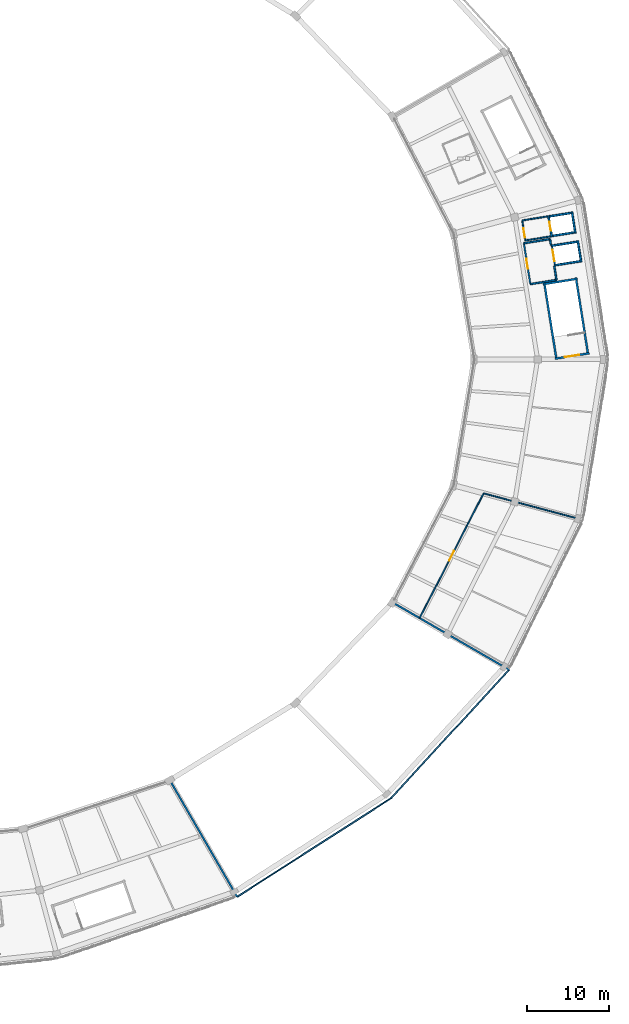
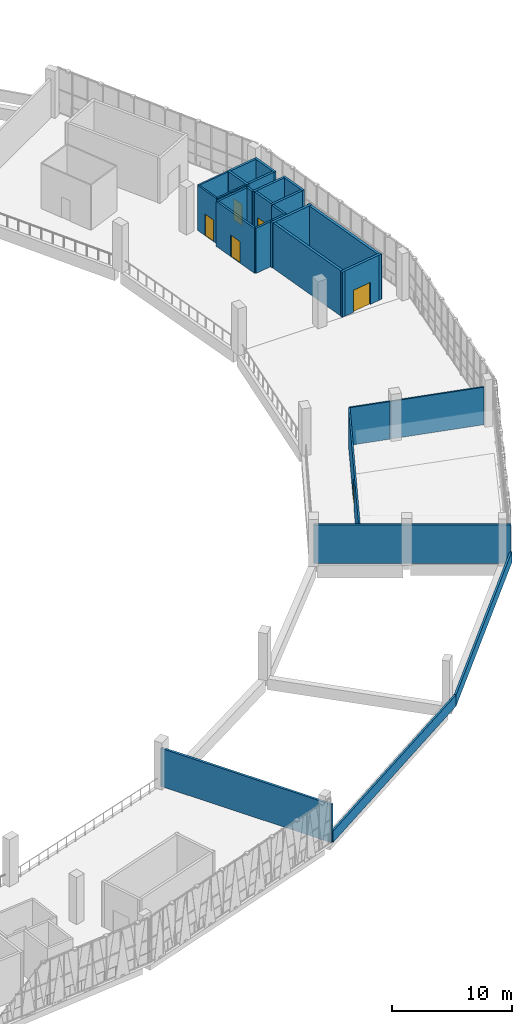
# One storey, part 46 of 64: 27 walls, 6 doors, 6 openings.
"""IFC4 building model written with IfcOpenShell, lengths in metres."""

from ifc_helpers import new_model, si_unit, direction, frame, frame_2d, origin, place, context, subcontext, project, spatial, rectangle, extrude, material, layer, layer_set, type_object, element, fill, save


model = new_model("IFC4")

# Units and contexts
model_context = context("Model", 3, precision=1e-05, world=origin(), true_north=direction((0.0, 1.0)))
body_context = subcontext(model_context, "Body", "Model", "MODEL_VIEW")
ifc_project = project(units=[si_unit("LENGTHUNIT", "METRE"), si_unit("AREAUNIT", "SQUARE_METRE"), si_unit("VOLUMEUNIT", "CUBIC_METRE"), si_unit("PLANEANGLEUNIT", "RADIAN"), si_unit("MASSUNIT", "GRAM", prefix="KILO")], contexts=[model_context])

# Site, building, storey
site_placement = place(None, origin())
site = spatial("IfcSite", under=ifc_project, at=site_placement, CompositionType="ELEMENT")
building_placement = place(site_placement, origin())
building = spatial("IfcBuilding", under=site, at=building_placement, Name="Zevraka Park Crest Stadium", CompositionType="ELEMENT")
storey_placement = place(building_placement, frame((0.0, 0.0, 24.60009765625)))
storey = spatial("IfcBuildingStorey", under=building, at=storey_placement, Name="L05", CompositionType="ELEMENT", Elevation=24.60009765625)

# Walls
ifc_material_1 = material(Name="Autoclaved aerated masonry blockwork", Category="masonry")
ifc_layer_1 = layer(ifc_material_1, 0.199951171875)
ifc_layer_set_1 = layer_set([ifc_layer_1], Name="Autoclaved aerated masonry blockwork")
wall_type_1 = type_object("IfcWallType", Name="IW01", PredefinedType="PARTITIONING", material=ifc_layer_set_1)
wall_1_placement = place(storey_placement, frame((195.81689453125, 106.743896484375, 0.0), z_axis=(0.0, 0.0, 1.0), x_axis=(0.157482870509, -0.987521719, 0.0)))
element("IfcWall", 1, at=wall_1_placement, inside=storey, type_object=wall_type_1, Name="Firefighting Lift Lobby Wall IW01 FL01 L05 BACKL", PredefinedType="PARTITIONING", context=body_context, shape_type="SweptSolid", body=[
    extrude(rectangle(XDim=0.750244140625, YDim=0.199951171875, at=frame_2d((0.375, 0.0))), origin(), (0.0, 0.0, 1.0), 4.599853515625),
])
wall_2_placement = place(storey_placement, frame((196.343017578125, 103.43603515625, 0.0), z_axis=(0.0, 0.0, 1.0), x_axis=(0.156960903537, -0.987604817101, 0.0)))
element("IfcWall", 2, at=wall_2_placement, inside=storey, type_object=wall_type_1, Name="Firefighting Lift Lobby Wall IW01 FL01 L05 BACKR", PredefinedType="PARTITIONING", context=body_context, shape_type="SweptSolid", body=[
    extrude(rectangle(XDim=1.72021484375, YDim=0.199951171875, at=frame_2d((0.860107421875, 0.0))), origin(), (0.0, 0.0, 1.0), 4.599853515625),
])
wall_3_placement = place(storey_placement, frame((195.81689453125, 106.743896484375, 0.0), z_axis=(0.0, 0.0, 1.0), x_axis=(-0.987633675984, -0.156779214382, 0.0)))
element("IfcWall", 3, at=wall_3_placement, inside=storey, type_object=wall_type_1, Name="Firefighting Lift Lobby Wall IW01 FL01 L05 LEFT", PredefinedType="PARTITIONING", context=body_context, shape_type="SweptSolid", body=[
    extrude(rectangle(XDim=3.239013671875, YDim=0.199951171875, at=frame_2d((1.61962890625, 0.0))), origin(), (0.0, 0.0, 1.0), 4.599853515625),
])
wall_4_placement = place(storey_placement, frame((196.613037109375, 101.737060546875, 0.0), z_axis=(0.0, 0.0, 1.0), x_axis=(-0.987629416648, -0.156806043797, 0.0)))
element("IfcWall", 4, at=wall_4_placement, inside=storey, type_object=wall_type_1, Name="Firefighting Lift Lobby Wall IW01 FL01 L05 RIGHT", PredefinedType="PARTITIONING", context=body_context, shape_type="SweptSolid", body=[
    extrude(rectangle(XDim=3.239990234375, YDim=0.199951171875, at=frame_2d((1.6201171875, 0.0))), origin(), (0.0, 0.0, 1.0), 4.599853515625),
])

# Wall, opening, door
wall_5_placement = place(storey_placement, frame((192.617919921875, 106.236083984375, 0.0), z_axis=(0.0, 0.0, 1.0), x_axis=(0.156842848291, -0.987623572491, 0.0)))
wall_5 = element("IfcWall", 5, at=wall_5_placement, inside=storey, type_object=wall_type_1, Name="Firefighting Lift Lobby Wall IW01 FL01 L05 FRONT", PredefinedType="PARTITIONING", context=body_context, shape_type="SweptSolid", body=[
    extrude(rectangle(XDim=5.06982421875, YDim=0.199951171875, at=frame_2d((2.534912109375, 0.0))), origin(), (0.0, 0.0, 1.0), 4.599853515625),
])
opening_1_placement = place(wall_5_placement, frame((1.909912109375, 0.0, 0.0)))
opening_1 = element("IfcOpeningElement", 6, at=opening_1_placement, cuts=wall_5, Name="Opening D-L05-288", PredefinedType="OPENING", context=body_context, shape_type="SweptSolid", body=[
    extrude(rectangle(XDim=1.25, YDim=2.199951171875, at=frame_2d((0.625, 1.10009765625))), frame((0.0, 0.10986328125, 0.0), z_axis=(0.0, -1.0, 0.0), x_axis=(1.0, 0.0, 0.0)), (0.0, 0.0, 1.0), 0.219970703125),
])
ifc_material_2 = material(Name="Solid-core hardwood timber leaf in steel frame", Category="steel")
door_type_1 = type_object("IfcDoorType", Name="DR07", OperationType="NOTDEFINED", PredefinedType="DOOR", material=ifc_material_2)
door_1_placement = place(opening_1_placement, origin())
door_1 = element("IfcDoor", 7, at=door_1_placement, inside=storey, type_object=door_type_1, Name="Firefighting Lift Lobby FL01 Door D-L05-288", OperationType="SINGLE_SWING_RIGHT", OverallHeight=2.199951171875, OverallWidth=1.25, PredefinedType="DOOR", context=body_context, shape_type="SweptSolid", body=[
    extrude(rectangle(XDim=1.25, YDim=2.199951171875, at=frame_2d((0.625, 1.10009765625))), frame((0.0, 0.02490234375, 0.0), z_axis=(0.0, -1.0, 0.0), x_axis=(1.0, 0.0, 0.0)), (0.0, 0.0, 1.0), 0.050048828125),
])
fill(opening_1, door_1)

# Walls
ifc_material_3 = material(Name="Fire-rated twin-stud acoustic drywall", Category="other")
ifc_layer_2 = layer(ifc_material_3, 0.159912109375)
ifc_layer_set_2 = layer_set([ifc_layer_2], Name="Fire-rated twin-stud acoustic drywall")
wall_type_2 = type_object("IfcWallType", Name="IW02", PredefinedType="PARTITIONING", material=ifc_layer_set_2)
wall_6_placement = place(storey_placement, frame((195.547119140625, 109.527099609375, 0.0), z_axis=(0.0, 0.0, 1.0), x_axis=(-0.987632121619, -0.156789005818, 0.0)))
element("IfcWall", 8, at=wall_6_placement, inside=storey, type_object=wall_type_2, Name="Passenger Lift Lobby Wall IW02 PL01 L05 LEFT", PredefinedType="PARTITIONING", context=body_context, shape_type="SweptSolid", body=[
    extrude(rectangle(XDim=3.17041015625, YDim=0.159912109375, at=frame_2d((1.585205078125, 0.0))), origin(), (0.0, 0.0, 1.0), 4.599853515625),
])
wall_7_placement = place(storey_placement, frame((195.93603515625, 107.076904296875, 0.0), z_axis=(0.0, 0.0, 1.0), x_axis=(-0.987644043639, -0.156713889186, 0.0)))
element("IfcWall", 9, at=wall_7_placement, inside=storey, type_object=wall_type_2, Name="Passenger Lift Lobby Wall IW02 PL01 L05 RIGHT", PredefinedType="PARTITIONING", context=body_context, shape_type="SweptSolid", body=[
    extrude(rectangle(XDim=3.170166015625, YDim=0.159912109375, at=frame_2d((1.5849609375, 0.0))), origin(), (0.0, 0.0, 1.0), 4.599853515625),
])

# Wall, opening, door
wall_8_placement = place(storey_placement, frame((192.416015625, 109.030029296875, 0.0), z_axis=(0.0, 0.0, 1.0), x_axis=(0.156781258489, -0.987633351496, 0.0)))
wall_8 = element("IfcWall", 10, at=wall_8_placement, inside=storey, type_object=wall_type_2, Name="Passenger Lift Lobby Wall IW02 PL01 L05 FRONT", PredefinedType="PARTITIONING", context=body_context, shape_type="SweptSolid", body=[
    extrude(rectangle(XDim=2.480712890625, YDim=0.159912109375, at=frame_2d((1.240234375, 0.0))), origin(), (0.0, 0.0, 1.0), 4.599853515625),
])
opening_2_placement = place(wall_8_placement, frame((0.962890625, 0.0, 0.0)))
opening_2 = element("IfcOpeningElement", 11, at=opening_2_placement, cuts=wall_8, Name="Opening D-L05-294", PredefinedType="OPENING", context=body_context, shape_type="SweptSolid", body=[
    extrude(rectangle(XDim=1.14990234375, YDim=2.199951171875, at=frame_2d((0.574951171875, 1.10009765625))), frame((0.0, 0.08984375, 0.0), z_axis=(0.0, -1.0, 0.0), x_axis=(1.0, 0.0, 0.0)), (0.0, 0.0, 1.0), 0.179931640625),
])
ifc_material_4 = material(Name="Solid-core hardwood timber leaf in steel frame", Category="steel")
door_type_2 = type_object("IfcDoorType", Name="DR03", OperationType="NOTDEFINED", PredefinedType="DOOR", material=ifc_material_4)
door_2_placement = place(opening_2_placement, origin())
door_2 = element("IfcDoor", 12, at=door_2_placement, inside=storey, type_object=door_type_2, Name="Passenger Lift Lobby PL01 Door D-L05-294", OperationType="SINGLE_SWING_RIGHT", OverallHeight=2.199951171875, OverallWidth=1.14990234375, PredefinedType="DOOR", context=body_context, shape_type="SweptSolid", body=[
    extrude(rectangle(XDim=1.14990234375, YDim=2.199951171875, at=frame_2d((0.574951171875, 1.10009765625))), frame((0.0, 0.02490234375, 0.0), z_axis=(0.0, -1.0, 0.0), x_axis=(1.0, 0.0, 0.0)), (0.0, 0.0, 1.0), 0.050048828125),
])
fill(opening_2, door_2)

ifc_material_5 = material(Name="Fire-rated twin-stud acoustic drywall", Category="other")
ifc_layer_3 = layer(ifc_material_5, 0.14990234375)
ifc_layer_set_3 = layer_set([ifc_layer_3], Name="Fire-rated twin-stud acoustic drywall")
wall_type_3 = type_object("IfcWallType", Name="IW05", PredefinedType="PARTITIONING", material=ifc_layer_set_3)
wall_9_placement = place(storey_placement, frame((179.85302734375, 60.324951171875, 0.0), z_axis=(0.0, 0.0, 1.0), x_axis=(0.455924229974, 0.890018593358, 0.0)))
wall_9 = element("IfcWall", 13, at=wall_9_placement, inside=storey, type_object=wall_type_3, Name="Interior Partition IW05 Television Broadcast Studio L05", PredefinedType="PARTITIONING", context=body_context, shape_type="SweptSolid", body=[
    extrude(rectangle(XDim=17.167236328125, YDim=0.14990234375, at=frame_2d((8.58349609375, 0.0))), origin(), (0.0, 0.0, 1.0), 3.83984375),
])
opening_3_placement = place(wall_9_placement, frame((7.93408203125, 0.0, 0.0)))
opening_3 = element("IfcOpeningElement", 14, at=opening_3_placement, cuts=wall_9, Name="Opening D-L05-492", PredefinedType="OPENING", context=body_context, shape_type="SweptSolid", body=[
    extrude(rectangle(XDim=1.300048828125, YDim=2.25, at=frame_2d((0.64990234375, 1.125))), frame((0.0, 0.0849609375, 0.0), z_axis=(0.0, -1.0, 0.0), x_axis=(1.0, 0.0, 0.0)), (0.0, 0.0, 1.0), 0.169921875),
])
ifc_material_6 = material(Name="Solid-core hardwood timber leaf in steel frame", Category="steel")
door_type_3 = type_object("IfcDoorType", Name="DR12", OperationType="NOTDEFINED", PredefinedType="DOOR", material=ifc_material_6)
door_3_placement = place(opening_3_placement, origin())
door_3 = element("IfcDoor", 15, at=door_3_placement, inside=storey, type_object=door_type_3, Name="Television Broadcast Studio Door D-L05-492", OperationType="SINGLE_SWING_RIGHT", OverallHeight=2.25, OverallWidth=1.300048828125, PredefinedType="DOOR", context=body_context, shape_type="SweptSolid", body=[
    extrude(rectangle(XDim=1.300048828125, YDim=2.25, at=frame_2d((0.64990234375, 1.125))), frame((0.0, 0.02490234375, 0.0), z_axis=(0.0, -1.0, 0.0), x_axis=(1.0, 0.0, 0.0)), (0.0, 0.0, 1.0), 0.050048828125),
])
fill(opening_3, door_3)

# Walls
wall_10_placement = place(storey_placement, frame((187.679931640625, 75.60400390625, 0.0), z_axis=(0.0, 0.0, 1.0), x_axis=(0.965928834191, -0.258807819197, 0.0)))
element("IfcWall", 16, at=wall_10_placement, inside=storey, type_object=wall_type_3, Name="Interior Partition IW05 Television Broadcast Studio L05", PredefinedType="PARTITIONING", context=body_context, shape_type="SweptSolid", body=[
    extrude(rectangle(XDim=3.515869140625, YDim=0.14990234375, at=frame_2d((1.7578125, 0.0))), origin(), (0.0, 0.0, 1.0), 3.83984375),
])
wall_11_placement = place(storey_placement, frame((191.06201171875, 74.697998046875, 0.0), z_axis=(0.0, 0.0, 1.0), x_axis=(0.965916586161, -0.258853527267, 0.0)))
element("IfcWall", 17, at=wall_11_placement, inside=storey, type_object=wall_type_3, Name="Interior Partition IW05 Television Broadcast Studio L05", PredefinedType="PARTITIONING", context=body_context, shape_type="SweptSolid", body=[
    extrude(rectangle(XDim=8.139404296875, YDim=0.14990234375, at=frame_2d((4.06982421875, 0.0))), origin(), (0.0, 0.0, 1.0), 3.83984375),
])
ifc_material_7 = material(Name="Precast concrete C40/50", Category="concrete")
ifc_layer_4 = layer(ifc_material_7, 0.219970703125)
ifc_layer_set_4 = layer_set([ifc_layer_4], Name="Precast concrete C40/50")
wall_type_4 = type_object("IfcWallType", Name="PW01", PredefinedType="PARAPET", material=ifc_layer_set_4)
for number, where, z_axis, x_axis, name in (
    (18, (149.25, 40.470947265625, 0.0), (0.0, 0.0, 1.0), (0.500009360108, -0.866019999656, 0.0), "Crown Tribune End Closure Wall PW01 20"),
    (19, (176.51904296875, 62.25, 0.0), (0.0, 0.0, 1.0), (0.866019999656, -0.500009360108, 0.0), "Crown Tribune End Closure Wall PW01 22"),
):
    element("IfcWall", number, at=place(storey_placement, frame(where, z_axis=z_axis, x_axis=x_axis)), inside=storey, type_object=wall_type_4, Name=name, PredefinedType="PARAPET", context=body_context, shape_type="SweptSolid", body=[
        extrude(rectangle(XDim=16.499755859375, YDim=0.219970703125, at=frame_2d((8.25, 0.0))), origin(), (0.0, 0.0, 1.0), 3.889892578125),
    ])
ifc_material_8 = material(Name="Precast concrete C40/50", Category="concrete")
ifc_layer_5 = layer(ifc_material_8, 0.179931640625)
ifc_layer_set_5 = layer_set([ifc_layer_5], Name="Precast concrete C40/50")
wall_type_5 = type_object("IfcWallType", Name="PW02", PredefinedType="PARAPET", material=ifc_layer_set_5)
wall_12_placement = place(storey_placement, frame((157.5, 26.181884765625, 0.0), z_axis=(0.0, 0.0, 1.0), x_axis=(0.841944820425, 0.539563637914, 0.0)))
element("IfcWall", 20, at=wall_12_placement, inside=storey, type_object=wall_type_5, Name="Setback Roof Parapet Wall PW02 20", PredefinedType="PARAPET", context=body_context, shape_type="SweptSolid", body=[
    extrude(rectangle(XDim=22.385009765625, YDim=0.179931640625, at=frame_2d((11.1923828125, 0.0))), origin(), (0.0, 0.0, 1.0), 1.14990234375),
])
wall_13_placement = place(storey_placement, frame((176.346923828125, 38.260009765625, 0.0), z_axis=(0.0, 0.0, 1.0), x_axis=(0.676559509476, 0.736387961701, 0.0)))
element("IfcWall", 21, at=wall_13_placement, inside=storey, type_object=wall_type_5, Name="Setback Roof Parapet Wall PW02 21", PredefinedType="PARAPET", context=body_context, shape_type="SweptSolid", body=[
    extrude(rectangle(XDim=21.37451171875, YDim=0.179931640625, at=frame_2d((10.687255859375, 0.0))), origin(), (0.0, 0.0, 1.0), 1.14990234375),
])
ifc_material_9 = material(Name="Concrete C40/50", Category="concrete")
ifc_layer_6 = layer(ifc_material_9, 0.25)
ifc_layer_set_6 = layer_set([ifc_layer_6], Name="Concrete C40/50")
wall_type_6 = type_object("IfcWallType", Name="SW01", PredefinedType="SHEAR", material=ifc_layer_set_6)
for number, where, z_axis, x_axis, name in (
    (22, (200.486328125, 92.611572265625, 0.0), (0.0, 0.0, 1.0), (-0.157268610044, 0.987555863886, 0.0), "Stair Core Shear Wall SW01 ST01 L05 left"),
    (23, (195.11328125, 101.426513671875, 0.0), (0.0, 0.0, 1.0), (0.157243678356, -0.987559833943, 0.0), "Stair Core Shear Wall SW01 ST01 L05 right"),
):
    element("IfcWall", number, at=place(storey_placement, frame(where, z_axis=z_axis, x_axis=x_axis)), inside=storey, type_object=wall_type_6, Name=name, PredefinedType="SHEAR", context=body_context, shape_type="SweptSolid", body=[
        extrude(rectangle(XDim=9.55029296875, YDim=0.25, at=frame_2d((4.775146484375, 0.0))), origin(), (0.0, 0.0, 1.0), 4.619873046875),
    ])

# Wall, opening, door
wall_14_placement = place(storey_placement, frame((196.427490234375, 92.092041015625, 0.0), z_axis=(0.0, 0.0, 1.0), x_axis=(0.987557660991, 0.157257324847, 0.0)))
wall_14 = element("IfcWall", 24, at=wall_14_placement, inside=storey, type_object=wall_type_6, Name="Stair Core Shear Wall SW01 ST01 L05 near", PredefinedType="SHEAR", context=body_context, shape_type="SweptSolid", body=[
    extrude(rectangle(XDim=4.260009765625, YDim=0.25, at=frame_2d((2.1298828125, 0.0))), origin(), (0.0, 0.0, 1.0), 4.619873046875),
])
opening_4_placement = place(wall_14_placement, frame((1.22998046875, 0.0, 0.0)))
opening_4 = element("IfcOpeningElement", 25, at=opening_4_placement, cuts=wall_14, Name="Opening D-L05-007", PredefinedType="OPENING", context=body_context, shape_type="SweptSolid", body=[
    extrude(rectangle(XDim=1.800048828125, YDim=2.25, at=frame_2d((0.89990234375, 1.125))), frame((0.0, 0.135009765625, 0.0), z_axis=(0.0, -1.0, 0.0), x_axis=(1.0, 0.0, 0.0)), (0.0, 0.0, 1.0), 0.27001953125),
])
ifc_material_10 = material(Name="Solid-core hardwood timber leaf in steel frame", Category="steel")
door_type_4 = type_object("IfcDoorType", Name="DR04", OperationType="NOTDEFINED", PredefinedType="DOOR", material=ifc_material_10)
door_4_placement = place(opening_4_placement, origin())
door_4 = element("IfcDoor", 26, at=door_4_placement, inside=storey, type_object=door_type_4, Name="Protected Stair Entry Door ST01 L05", OperationType="DOUBLE_DOOR_SINGLE_SWING", OverallHeight=2.25, OverallWidth=1.800048828125, PredefinedType="DOOR", context=body_context, shape_type="SweptSolid", body=[
    extrude(rectangle(XDim=1.800048828125, YDim=2.25, at=frame_2d((0.89990234375, 1.125))), frame((0.0, 0.02490234375, 0.0), z_axis=(0.0, -1.0, 0.0), x_axis=(1.0, 0.0, 0.0)), (0.0, 0.0, 1.0), 0.050048828125),
])
fill(opening_4, door_4)

# Walls
wall_15_placement = place(storey_placement, frame((199.181396484375, 101.886962890625, 0.0), z_axis=(0.0, 0.0, 1.0), x_axis=(-0.987557660991, -0.157257324847, 0.0)))
element("IfcWall", 27, at=wall_15_placement, inside=storey, type_object=wall_type_6, Name="Stair Core Shear Wall SW01 ST01 L05 far", PredefinedType="SHEAR", context=body_context, shape_type="SweptSolid", body=[
    extrude(rectangle(XDim=4.260009765625, YDim=0.25, at=frame_2d((2.1298828125, 0.0))), origin(), (0.0, 0.0, 1.0), 4.619873046875),
])
ifc_material_11 = material(Name="Concrete C40/50", Category="concrete")
ifc_layer_7 = layer(ifc_material_11, 0.219970703125)
ifc_layer_set_7 = layer_set([ifc_layer_7], Name="Concrete C40/50")
wall_type_7 = type_object("IfcWallType", Name="SW02", PredefinedType="SHEAR", material=ifc_layer_set_7)
wall_16_placement = place(storey_placement, frame((199.635009765625, 103.93701171875, 0.0), z_axis=(0.0, 0.0, 1.0), x_axis=(-0.156807626334, 0.987629165387, 0.0)))
element("IfcWall", 28, at=wall_16_placement, inside=storey, type_object=wall_type_7, Name="Lift Shaft Shear Wall SW02 FL01 L05-1", PredefinedType="SHEAR", context=body_context, shape_type="SweptSolid", body=[
    extrude(rectangle(XDim=2.640625, YDim=0.219970703125, at=frame_2d((1.3203125, 0.0))), origin(), (0.0, 0.0, 1.0), 4.619873046875),
])
wall_17_placement = place(storey_placement, frame((199.346923828125, 106.452880859375, 0.0), z_axis=(0.0, 0.0, 1.0), x_axis=(-0.987703627881, -0.156337914372, 0.0)))
element("IfcWall", 29, at=wall_17_placement, inside=storey, type_object=wall_type_7, Name="Lift Shaft Shear Wall SW02 FL01 L05-2", PredefinedType="SHEAR", context=body_context, shape_type="SweptSolid", body=[
    extrude(rectangle(XDim=3.440185546875, YDim=0.219970703125, at=frame_2d((1.72021484375, 0.0))), origin(), (0.0, 0.0, 1.0), 4.619873046875),
])

# Wall, opening, door
wall_18_placement = place(storey_placement, frame((196.041015625, 106.041015625, 0.0), z_axis=(0.0, 0.0, 1.0), x_axis=(0.156807626334, -0.987629165387, 0.0)))
wall_18 = element("IfcWall", 30, at=wall_18_placement, inside=storey, type_object=wall_type_7, Name="Lift Shaft Shear Wall SW02 FL01 L05-3", PredefinedType="SHEAR", context=body_context, shape_type="SweptSolid", body=[
    extrude(rectangle(XDim=2.640625, YDim=0.219970703125, at=frame_2d((1.3203125, 0.0))), origin(), (0.0, 0.0, 1.0), 4.619873046875),
])
opening_5_placement = place(wall_18_placement, frame((0.6201171875, 0.0, 0.0)))
opening_5 = element("IfcOpeningElement", 31, at=opening_5_placement, cuts=wall_18, Name="Opening LD-FL01-L05", PredefinedType="OPENING", context=body_context, shape_type="SweptSolid", body=[
    extrude(rectangle(XDim=1.39990234375, YDim=2.199951171875, at=frame_2d((0.699951171875, 1.10009765625))), frame((0.0, 0.119873046875, 0.0), z_axis=(0.0, -1.0, 0.0), x_axis=(1.0, 0.0, 0.0)), (0.0, 0.0, 1.0), 0.239990234375),
])
ifc_material_12 = material(Name="Brushed stainless steel lift landing doors", Category="steel")
door_type_5 = type_object("IfcDoorType", Name="LD01", OperationType="NOTDEFINED", PredefinedType="DOOR", material=ifc_material_12)
door_5_placement = place(opening_5_placement, origin())
door_5 = element("IfcDoor", 32, at=door_5_placement, inside=storey, type_object=door_type_5, Name="Lift Sliding Landing Door LD-FL01-L05", OperationType="SLIDING_TO_LEFT", OverallHeight=2.199951171875, OverallWidth=1.39990234375, PredefinedType="DOOR", context=body_context, shape_type="SweptSolid", body=[
    extrude(rectangle(XDim=1.39990234375, YDim=2.199951171875, at=frame_2d((0.699951171875, 1.10009765625))), frame((0.0, 0.02490234375, 0.0), z_axis=(0.0, -1.0, 0.0), x_axis=(1.0, 0.0, 0.0)), (0.0, 0.0, 1.0), 0.050048828125),
])
fill(opening_5, door_5)

# Walls
wall_19_placement = place(storey_placement, frame((196.3291015625, 103.52490234375, 0.0), z_axis=(0.0, 0.0, 1.0), x_axis=(0.987692667337, 0.156407144619, 0.0)))
element("IfcWall", 33, at=wall_19_placement, inside=storey, type_object=wall_type_7, Name="Lift Shaft Shear Wall SW02 FL01 L05-4", PredefinedType="SHEAR", context=body_context, shape_type="SweptSolid", body=[
    extrude(rectangle(XDim=3.440185546875, YDim=0.219970703125, at=frame_2d((1.72021484375, 0.0))), origin(), (0.0, 0.0, 1.0), 4.619873046875),
])
wall_20_placement = place(storey_placement, frame((198.922119140625, 107.469970703125, 0.0), z_axis=(0.0, 0.0, 1.0), x_axis=(-0.156807626334, 0.987629165387, 0.0)))
element("IfcWall", 34, at=wall_20_placement, inside=storey, type_object=wall_type_7, Name="Lift Shaft Shear Wall SW02 PL01 L05-1", PredefinedType="SHEAR", context=body_context, shape_type="SweptSolid", body=[
    extrude(rectangle(XDim=2.640625, YDim=0.219970703125, at=frame_2d((1.3203125, 0.0))), origin(), (0.0, 0.0, 1.0), 4.619873046875),
])
wall_21_placement = place(storey_placement, frame((198.634033203125, 109.986083984375, 0.0), z_axis=(0.0, 0.0, 1.0), x_axis=(-0.987645460109, -0.156704962032, 0.0)))
element("IfcWall", 35, at=wall_21_placement, inside=storey, type_object=wall_type_7, Name="Lift Shaft Shear Wall SW02 PL01 L05-2", PredefinedType="SHEAR", context=body_context, shape_type="SweptSolid", body=[
    extrude(rectangle(XDim=3.140869140625, YDim=0.219970703125, at=frame_2d((1.5703125, 0.0))), origin(), (0.0, 0.0, 1.0), 4.619873046875),
])

# Wall, opening, door
wall_22_placement = place(storey_placement, frame((195.6240234375, 109.6201171875, 0.0), z_axis=(0.0, 0.0, 1.0), x_axis=(0.156793308963, -0.987631438475, 0.0)))
wall_22 = element("IfcWall", 36, at=wall_22_placement, inside=storey, type_object=wall_type_7, Name="Lift Shaft Shear Wall SW02 PL01 L05-3", PredefinedType="SHEAR", context=body_context, shape_type="SweptSolid", body=[
    extrude(rectangle(XDim=2.640869140625, YDim=0.219970703125, at=frame_2d((1.3203125, 0.0))), origin(), (0.0, 0.0, 1.0), 4.619873046875),
])
opening_6_placement = place(wall_22_placement, frame((0.77001953125, 0.0, 0.0)))
opening_6 = element("IfcOpeningElement", 37, at=opening_6_placement, cuts=wall_22, Name="Opening LD-PL01-L05", PredefinedType="OPENING", context=body_context, shape_type="SweptSolid", body=[
    extrude(rectangle(XDim=1.10009765625, YDim=2.14990234375, at=frame_2d((0.550048828125, 1.074951171875))), frame((0.0, 0.119873046875, 0.0), z_axis=(0.0, -1.0, 0.0), x_axis=(1.0, 0.0, 0.0)), (0.0, 0.0, 1.0), 0.239990234375),
])
ifc_material_13 = material(Name="Brushed stainless steel lift landing doors", Category="steel")
door_type_6 = type_object("IfcDoorType", Name="LD02", OperationType="NOTDEFINED", PredefinedType="DOOR", material=ifc_material_13)
door_6_placement = place(opening_6_placement, origin())
door_6 = element("IfcDoor", 38, at=door_6_placement, inside=storey, type_object=door_type_6, Name="Lift Sliding Landing Door LD-PL01-L05", OperationType="SLIDING_TO_LEFT", OverallHeight=2.14990234375, OverallWidth=1.10009765625, PredefinedType="DOOR", context=body_context, shape_type="SweptSolid", body=[
    extrude(rectangle(XDim=1.10009765625, YDim=2.14990234375, at=frame_2d((0.550048828125, 1.074951171875))), frame((0.0, 0.02490234375, 0.0), z_axis=(0.0, -1.0, 0.0), x_axis=(1.0, 0.0, 0.0)), (0.0, 0.0, 1.0), 0.050048828125),
])
fill(opening_6, door_6)

# Wall
wall_23_placement = place(storey_placement, frame((195.912109375, 107.10400390625, 0.0), z_axis=(0.0, 0.0, 1.0), x_axis=(0.98765558045, 0.156641164471, 0.0)))
element("IfcWall", 39, at=wall_23_placement, inside=storey, type_object=wall_type_7, Name="Lift Shaft Shear Wall SW02 PL01 L05-4", PredefinedType="SHEAR", context=body_context, shape_type="SweptSolid", body=[
    extrude(rectangle(XDim=3.140625, YDim=0.219970703125, at=frame_2d((1.5703125, 0.0))), origin(), (0.0, 0.0, 1.0), 4.619873046875),
])

save(model, "model.ifc")
